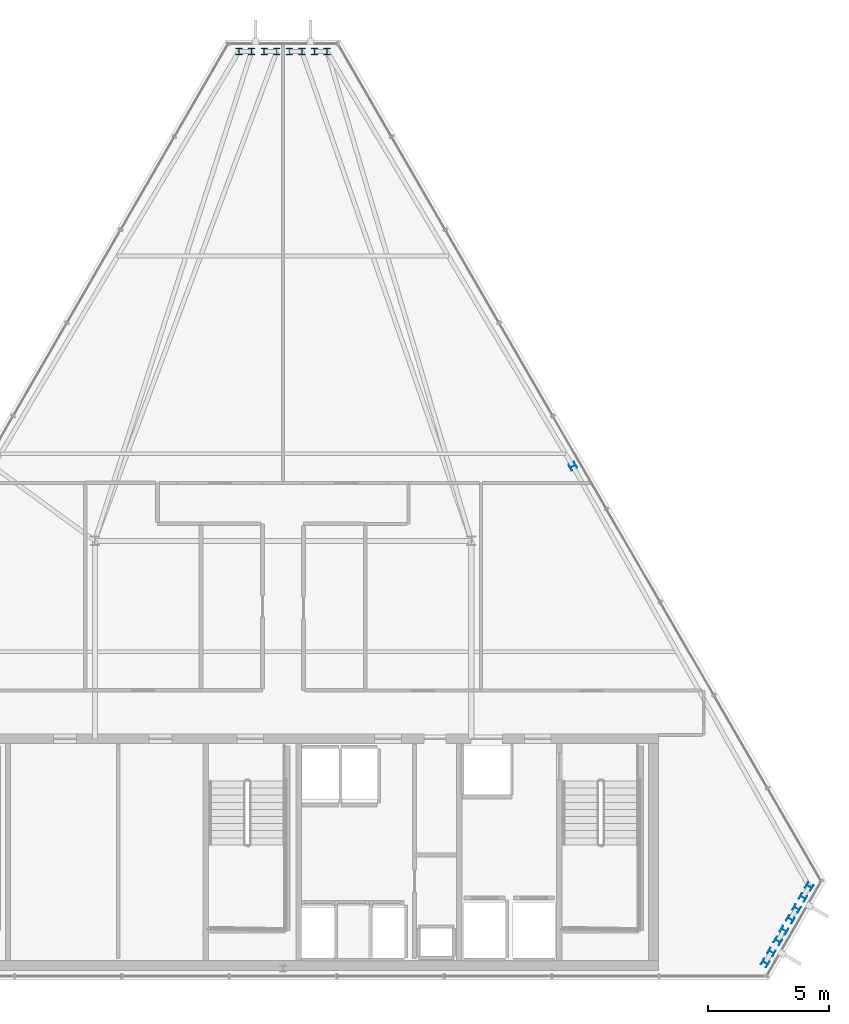
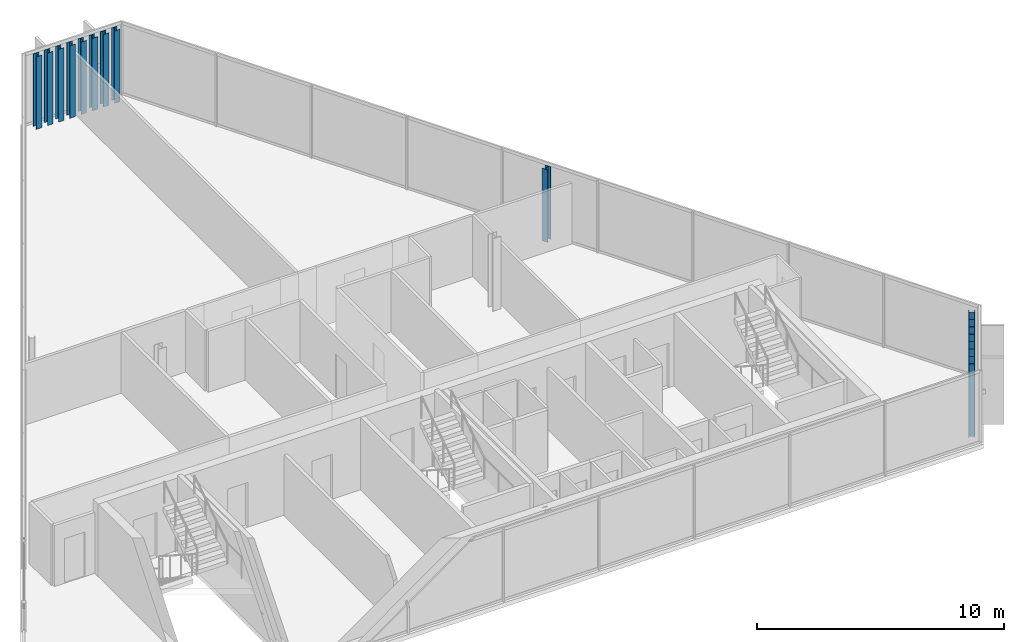
# One storey, part 2 of 32: 17 columns.
"""IFC4 building model written with IfcOpenShell, lengths in metres."""

from ifc_helpers import new_model, si_unit, direction, frame, origin, origin_2d, place, context, subcontext, project, spatial, i_section, extrude, material, material_profile, profile_set, type_object, element, save


model = new_model("IFC4")

# Units and contexts
model_context = context("Model", 3, precision=1e-05, world=origin(), true_north=direction((0.0, 1.0)))
body_context = subcontext(model_context, "Body", "Model", "MODEL_VIEW")
ifc_project = project(units=[si_unit("LENGTHUNIT", "METRE"), si_unit("AREAUNIT", "SQUARE_METRE"), si_unit("VOLUMEUNIT", "CUBIC_METRE"), si_unit("PLANEANGLEUNIT", "RADIAN"), si_unit("MASSUNIT", "GRAM", prefix="KILO")], contexts=[model_context])

# Site, building, storey
site_placement = place(None, origin())
site = spatial("IfcSite", under=ifc_project, at=site_placement, CompositionType="ELEMENT")
building_placement = place(site_placement, origin())
building = spatial("IfcBuilding", under=site, at=building_placement, Name="Ndaravel Arena Tower", CompositionType="ELEMENT")
storey_placement = place(building_placement, frame((0.0, 0.0, 287.10009765625)))
storey = spatial("IfcBuildingStorey", under=building, at=storey_placement, Name="L70", CompositionType="ELEMENT", Elevation=287.10009765625)

# Columns
ifc_material = material(Name="Steel S355", Category="steel")
ifc_material_profile = material_profile(ifc_material, i_section(OverallWidth=0.2587890625, OverallDepth=0.2666015625, WebThickness=0.0126953125, FlangeThickness=0.0205078125, FilletRadius=0.0126953125, at=origin_2d()), Name="UC 254x254x107")
ifc_profile_set = profile_set([ifc_material_profile], Name="Steel S355")
column_type = type_object("IfcColumnType", Name="COL-CRN-UC107", PredefinedType="COLUMN", material=ifc_profile_set)
for number, where, z_axis, x_axis, name in (
    (1, (61.98095703125, 5.7060546875, 0.0), (0.0, 0.0, 1.0), (0.5, 0.866025403784, 0.0), "L70 Framed Tube Column TC-02"),
    (2, (62.24169921875, 6.157958984375, 0.0), (0.0, 0.0, 1.0), (0.5, 0.866025403784, 0.0), "L70 Framed Tube Column TC-03"),
    (3, (62.502685546875, 6.610107421875, 0.0), (0.0, 0.0, 1.0), (0.5, 0.866025403784, 0.0), "L70 Framed Tube Column TC-04"),
    (4, (62.763671875, 7.06201171875, 0.0), (0.0, 0.0, 1.0), (0.5, 0.866025403784, 0.0), "L70 Framed Tube Column TC-05"),
    (5, (63.024658203125, 7.513916015625, 0.0), (0.0, 0.0, 1.0), (0.5, 0.866025403784, 0.0), "L70 Framed Tube Column TC-06"),
    (6, (63.28564453125, 7.9658203125, 0.0), (0.0, 0.0, 1.0), (0.5, 0.866025403784, 0.0), "L70 Framed Tube Column TC-07"),
    (7, (63.54638671875, 8.41796875, 0.0), (0.0, 0.0, 1.0), (0.5, 0.866025403784, 0.0), "L70 Framed Tube Column TC-08"),
    (8, (63.807373046875, 8.869873046875, 0.0), (0.0, 0.0, 1.0), (0.5, 0.866025403784, 0.0), "L70 Framed Tube Column TC-09"),
    (9, (54.0126953125, 26.286865234375, 0.0), (0.0, 0.0, 1.0), (-0.5, 0.866025403784, 0.0), "L70 Framed Tube Column TC-10"),
    (10, (43.82666015625, 43.477783203125, 0.0), (0.0, 0.0, 1.0), (1.0, 0.0, 0.0), "L70 Framed Tube Column TC-11"),
    (11, (43.3046875, 43.477783203125, 0.0), (0.0, 0.0, 1.0), (1.0, 0.0, 0.0), "L70 Framed Tube Column TC-12"),
    (12, (42.782958984375, 43.477783203125, 0.0), (0.0, 0.0, 1.0), (1.0, 0.0, 0.0), "L70 Framed Tube Column TC-13"),
    (13, (42.260986328125, 43.477783203125, 0.0), (0.0, 0.0, 1.0), (1.0, 0.0, 0.0), "L70 Framed Tube Column TC-14"),
    (14, (41.739013671875, 43.477783203125, 0.0), (0.0, 0.0, 1.0), (1.0, 0.0, 0.0), "L70 Framed Tube Column TC-15"),
    (15, (41.217041015625, 43.477783203125, 0.0), (0.0, 0.0, 1.0), (1.0, 0.0, 0.0), "L70 Framed Tube Column TC-16"),
    (16, (40.6953125, 43.477783203125, 0.0), (0.0, 0.0, 1.0), (1.0, 0.0, 0.0), "L70 Framed Tube Column TC-17"),
    (17, (40.17333984375, 43.477783203125, 0.0), (0.0, 0.0, 1.0), (1.0, 0.0, 0.0), "L70 Framed Tube Column TC-18"),
):
    element("IfcColumn", number, at=place(storey_placement, frame(where, z_axis=z_axis, x_axis=x_axis)), inside=storey, type_object=column_type, Name=name, PredefinedType="COLUMN", context=body_context, shape_type="SweptSolid", body=[
        extrude(i_section(OverallWidth=0.2587890625, OverallDepth=0.2666015625, WebThickness=0.0126953125, FlangeThickness=0.0205078125, FilletRadius=0.0126953125, at=origin_2d()), origin(), (0.0, 0.0, 1.0), 3.579833984375),
    ])

save(model, "model.ifc")
